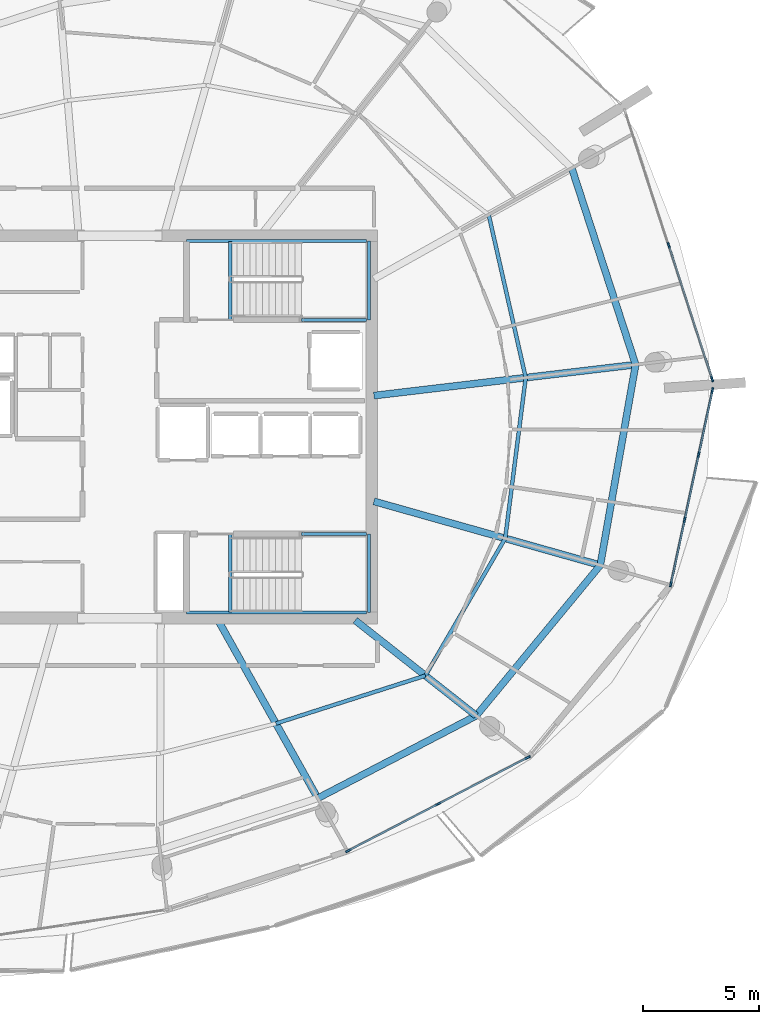
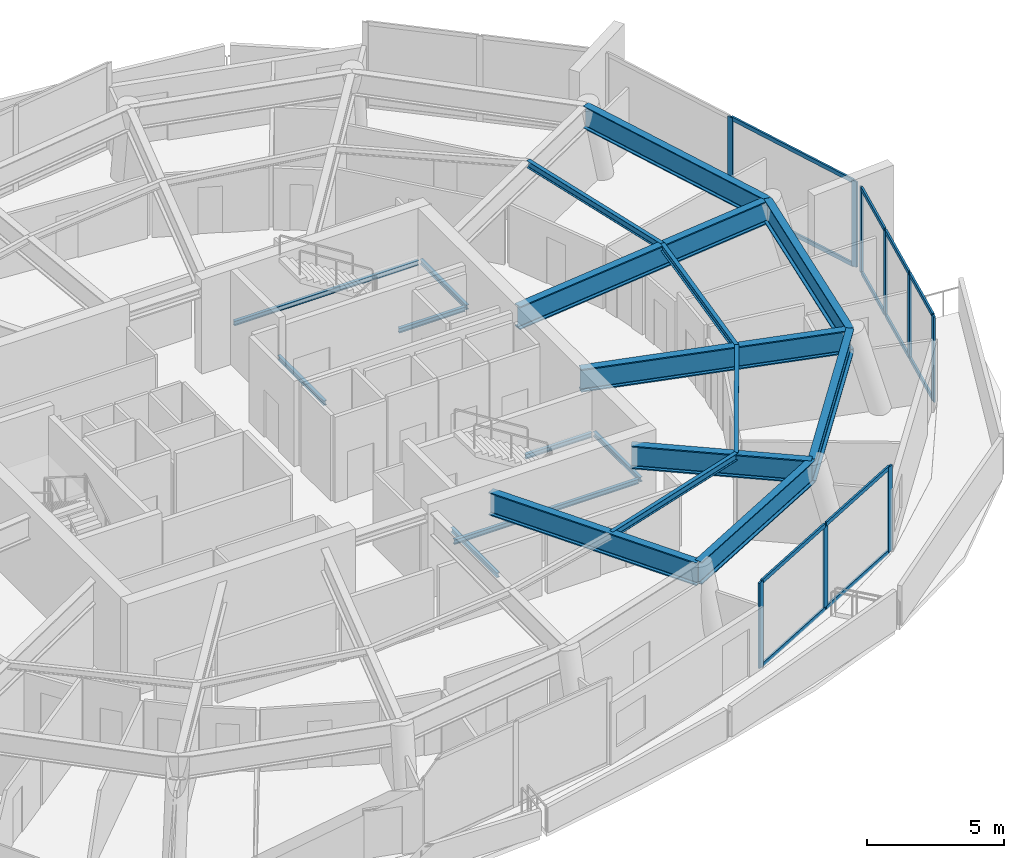
# One storey, part 6 of 19: 21 members, 20 beams, 3 elements without a shape of their own.
"""IFC4 building model written with IfcOpenShell, lengths in metres."""

from ifc_helpers import new_model, si_unit, direction, frame, origin, origin_2d, place, context, subcontext, project, spatial, rectangle, i_section, extrude, material, layer, layer_set, material_profile, profile_set, type_object, element, aggregate, save


model = new_model("IFC4")

# Units and contexts
model_context = context("Model", 3, precision=1e-05, world=origin(), true_north=direction((0.0, 1.0)))
body_context = subcontext(model_context, "Body", "Model", "MODEL_VIEW")
ifc_project = project(units=[si_unit("LENGTHUNIT", "METRE"), si_unit("AREAUNIT", "SQUARE_METRE"), si_unit("VOLUMEUNIT", "CUBIC_METRE"), si_unit("PLANEANGLEUNIT", "RADIAN"), si_unit("MASSUNIT", "GRAM", prefix="KILO")], contexts=[model_context])

# Site, building, storey
site_placement = place(None, origin())
site = spatial("IfcSite", under=ifc_project, at=site_placement, CompositionType="ELEMENT")
building_placement = place(site_placement, origin())
building = spatial("IfcBuilding", under=site, at=building_placement, Name="Kazma Halo Residences", CompositionType="ELEMENT")
storey_placement = place(building_placement, frame((0.0, 0.0, 347.300048828125)))
storey = spatial("IfcBuildingStorey", under=building, at=storey_placement, Name="L87", CompositionType="ELEMENT", Elevation=347.300048828125)

# Beams
ifc_material_1 = material(Name="Steel S355", Category="steel")
ifc_material_profile_1 = material_profile(ifc_material_1, i_section(OverallWidth=0.1650390625, OverallDepth=0.31005859375, WebThickness=0.005859375, FlangeThickness=0.009765625, FilletRadius=0.011962890625, at=origin_2d()), Name="W310x38.7")
ifc_profile_set_1 = profile_set([ifc_material_profile_1], Name="Steel S355")
beam_type_1 = type_object("IfcBeamType", Name="BM-SEC-W310B", PredefinedType="JOIST", material=ifc_profile_set_1)
beam_1_placement = place(storey_placement, frame((55.17041015625, 29.1962890625, 3.64501953125), z_axis=(0.952375588957, 0.304927429988, 0.0), x_axis=(-0.304927429988, 0.952375588957, 0.0)))
element("IfcBeam", 1, at=beam_1_placement, inside=storey, type_object=beam_type_1, Name="L87 circumferential floor joist 13", PredefinedType="JOIST", context=body_context, shape_type="SweptSolid", body=[
    extrude(i_section(OverallWidth=0.1650390625, OverallDepth=0.31005859375, WebThickness=0.005859375, FlangeThickness=0.009765625, FilletRadius=0.011962890625, at=origin_2d()), origin(), (0.0, 0.0, 1.0), 6.7734375),
])
beam_2_placement = place(storey_placement, frame((61.621337890625, 31.26171875, 3.64501953125), z_axis=(0.502650174973, 0.864489908327, 0.0), x_axis=(-0.864489908327, 0.502650174973, 0.0)))
element("IfcBeam", 2, at=beam_2_placement, inside=storey, type_object=beam_type_1, Name="L87 circumferential floor joist 14", PredefinedType="JOIST", context=body_context, shape_type="SweptSolid", body=[
    extrude(i_section(OverallWidth=0.1650390625, OverallDepth=0.31005859375, WebThickness=0.005859375, FlangeThickness=0.009765625, FilletRadius=0.011962890625, at=origin_2d()), origin(), (0.0, 0.0, 1.0), 6.853759765625),
])
beam_3_placement = place(storey_placement, frame((65.06640625, 37.186767578125, 3.64501953125), z_axis=(0.126603386769, 0.991953417484, 0.0), x_axis=(-0.991953417484, 0.126603386769, 0.0)))
element("IfcBeam", 3, at=beam_3_placement, inside=storey, type_object=beam_type_1, Name="L87 circumferential floor joist 15", PredefinedType="JOIST", context=body_context, shape_type="SweptSolid", body=[
    extrude(i_section(OverallWidth=0.1650390625, OverallDepth=0.31005859375, WebThickness=0.005859375, FlangeThickness=0.009765625, FilletRadius=0.011962890625, at=origin_2d()), origin(), (0.0, 0.0, 1.0), 6.994384765625),
])
beam_4_placement = place(storey_placement, frame((65.951904296875, 44.124755859375, 3.64501953125), z_axis=(-0.221597696416, 0.975138175308, 0.0), x_axis=(-0.975138175308, -0.221597696416, 0.0)))
element("IfcBeam", 4, at=beam_4_placement, inside=storey, type_object=beam_type_1, Name="L87 circumferential floor joist 16", PredefinedType="JOIST", context=body_context, shape_type="SweptSolid", body=[
    extrude(i_section(OverallWidth=0.1650390625, OverallDepth=0.31005859375, WebThickness=0.005859375, FlangeThickness=0.009765625, FilletRadius=0.011962890625, at=origin_2d()), origin(), (0.0, 0.0, 1.0), 7.213134765625),
])
ifc_material_profile_2 = material_profile(ifc_material_1, i_section(OverallWidth=0.302001953125, OverallDepth=1.01806640625, WebThickness=0.021484375, FlangeThickness=0.049072265625, FilletRadius=0.028076171875, at=origin_2d()), Name="W1000x443")
ifc_profile_set_2 = profile_set([ifc_material_profile_2], Name="Steel S355")
beam_type_2 = type_object("IfcBeamType", Name="BM-TRANS-W1000A", PredefinedType="BEAM", material=ifc_profile_set_2)
beam_5_placement = place(storey_placement, frame((52.67626953125, 33.64990234375, 3.291015625), z_axis=(0.488621952621, -0.872495608824, 0.0), x_axis=(0.872495608824, 0.488621952621, 0.0)))
element("IfcBeam", 5, at=beam_5_placement, inside=storey, type_object=beam_type_2, Name="L87 podium radial transfer girder 13", PredefinedType="BEAM", context=body_context, shape_type="SweptSolid", body=[
    extrude(i_section(OverallWidth=0.302001953125, OverallDepth=1.01806640625, WebThickness=0.021484375, FlangeThickness=0.049072265625, FilletRadius=0.028076171875, at=origin_2d()), origin(), (0.0, 0.0, 1.0), 8.80078125),
])
beam_6_placement = place(storey_placement, frame((58.591796875, 33.64990234375, 3.291015625), z_axis=(0.785342950436, -0.619060942234, 0.0), x_axis=(0.619060942234, 0.785342950436, 0.0)))
element("IfcBeam", 6, at=beam_6_placement, inside=storey, type_object=beam_type_2, Name="L87 podium radial transfer girder 14", PredefinedType="BEAM", context=body_context, shape_type="SweptSolid", body=[
    extrude(i_section(OverallWidth=0.302001953125, OverallDepth=1.01806640625, WebThickness=0.021484375, FlangeThickness=0.049072265625, FilletRadius=0.028076171875, at=origin_2d()), origin(), (0.0, 0.0, 1.0), 6.651123046875),
])
beam_7_placement = place(storey_placement, frame((59.39990234375, 38.784912109375, 3.291015625), z_axis=(0.962456764872, -0.271435030445, 0.0), x_axis=(0.271435030445, 0.962456764872, 0.0)))
element("IfcBeam", 7, at=beam_7_placement, inside=storey, type_object=beam_type_2, Name="L87 podium radial transfer girder 15", PredefinedType="BEAM", context=body_context, shape_type="SweptSolid", body=[
    extrude(i_section(OverallWidth=0.302001953125, OverallDepth=1.01806640625, WebThickness=0.021484375, FlangeThickness=0.049072265625, FilletRadius=0.028076171875, at=origin_2d()), origin(), (0.0, 0.0, 1.0), 10.151123046875),
])
beam_8_placement = place(storey_placement, frame((59.39990234375, 43.349365234375, 3.291015625), z_axis=(0.993069497533, 0.117528605327, 0.0), x_axis=(-0.117528605327, 0.993069497533, 0.0)))
element("IfcBeam", 8, at=beam_8_placement, inside=storey, type_object=beam_type_2, Name="L87 podium radial transfer girder 16", PredefinedType="BEAM", context=body_context, shape_type="SweptSolid", body=[
    extrude(i_section(OverallWidth=0.302001953125, OverallDepth=1.01806640625, WebThickness=0.021484375, FlangeThickness=0.049072265625, FilletRadius=0.028076171875, at=origin_2d()), origin(), (0.0, 0.0, 1.0), 11.375244140625),
])
ifc_material_profile_3 = material_profile(ifc_material_1, i_section(OverallWidth=0.300048828125, OverallDepth=1.0, WebThickness=0.01904296875, FlangeThickness=0.0400390625, FilletRadius=0.02587890625, at=origin_2d()), Name="W1000x371")
ifc_profile_set_3 = profile_set([ifc_material_profile_3], Name="Steel S355")
beam_type_3 = type_object("IfcBeamType", Name="BM-TRANS-W1000B", PredefinedType="BEAM", material=ifc_profile_set_3)
beam_9_placement = place(storey_placement, frame((56.9765625, 25.97119140625, 3.300048828125), z_axis=(0.886940838721, 0.461883046461, 0.0), x_axis=(-0.461883046461, 0.886940838721, 0.0)))
element("IfcBeam", 9, at=beam_9_placement, inside=storey, type_object=beam_type_3, Name="L87 perimeter ring beam 13", PredefinedType="BEAM", context=body_context, shape_type="SweptSolid", body=[
    extrude(i_section(OverallWidth=0.300048828125, OverallDepth=1.0, WebThickness=0.01904296875, FlangeThickness=0.0400390625, FilletRadius=0.02587890625, at=origin_2d()), origin(), (0.0, 0.0, 1.0), 7.71044921875),
])
beam_10_placement = place(storey_placement, frame((63.815185546875, 29.532470703125, 3.300048828125), z_axis=(0.636005014199, 0.77168492399, 0.0), x_axis=(-0.77168492399, 0.636005014199, 0.0)))
element("IfcBeam", 10, at=beam_10_placement, inside=storey, type_object=beam_type_3, Name="L87 perimeter ring beam 14", PredefinedType="BEAM", context=body_context, shape_type="SweptSolid", body=[
    extrude(i_section(OverallWidth=0.300048828125, OverallDepth=1.0, WebThickness=0.01904296875, FlangeThickness=0.0400390625, FilletRadius=0.02587890625, at=origin_2d()), origin(), (0.0, 0.0, 1.0), 8.41943359375),
])
beam_11_placement = place(storey_placement, frame((69.169921875, 36.029541015625, 3.300048828125), z_axis=(0.173642734291, 0.984808712811, 0.0), x_axis=(-0.984808712811, 0.173642734291, 0.0)))
element("IfcBeam", 11, at=beam_11_placement, inside=storey, type_object=beam_type_3, Name="L87 perimeter ring beam 15", PredefinedType="BEAM", context=body_context, shape_type="SweptSolid", body=[
    extrude(i_section(OverallWidth=0.300048828125, OverallDepth=1.0, WebThickness=0.01904296875, FlangeThickness=0.0400390625, FilletRadius=0.02587890625, at=origin_2d()), origin(), (0.0, 0.0, 1.0), 8.790283203125),
])
beam_12_placement = place(storey_placement, frame((70.6962890625, 44.686279296875, 3.300048828125), z_axis=(-0.309015498459, 0.951057002346, 0.0), x_axis=(-0.951057002346, -0.309015498459, 0.0)))
element("IfcBeam", 12, at=beam_12_placement, inside=storey, type_object=beam_type_3, Name="L87 perimeter ring beam 16", PredefinedType="BEAM", context=body_context, shape_type="SweptSolid", body=[
    extrude(i_section(OverallWidth=0.300048828125, OverallDepth=1.0, WebThickness=0.01904296875, FlangeThickness=0.0400390625, FilletRadius=0.02587890625, at=origin_2d()), origin(), (0.0, 0.0, 1.0), 8.91748046875),
])
ifc_material_profile_4 = material_profile(ifc_material_1, i_section(OverallWidth=0.133056640625, OverallDepth=0.20703125, WebThickness=0.005859375, FlangeThickness=0.00830078125, FilletRadius=0.010009765625, at=origin_2d()), Name="W200x26.6")
ifc_profile_set_4 = profile_set([ifc_material_profile_4], Name="Steel S355")
beam_type_4 = type_object("IfcBeamType", Name="BM-TRIM-W200", PredefinedType="BEAM", material=ifc_profile_set_4)
for number, where, z_axis, x_axis, name in (
    (13, (53.199951171875, 46.6201171875, -0.3701171875), (0.0, 1.0, 0.0), (-1.0, 0.0, 0.0), "L87 ST-02 floor landing support beam"),
    (14, (53.199951171875, 34.0, -0.3701171875), (0.0, 1.0, 0.0), (-1.0, 0.0, 0.0), "L87 ST-03 floor landing support beam"),
):
    element("IfcBeam", number, at=place(storey_placement, frame(where, z_axis=z_axis, x_axis=x_axis)), inside=storey, type_object=beam_type_4, Name=name, PredefinedType="BEAM", context=body_context, shape_type="SweptSolid", body=[
        extrude(i_section(OverallWidth=0.133056640625, OverallDepth=0.20703125, WebThickness=0.005859375, FlangeThickness=0.00830078125, FilletRadius=0.010009765625, at=origin_2d()), origin(), (0.0, 0.0, 1.0), 3.3798828125),
    ])
beam_13_placement = place(storey_placement, frame((51.31005859375, 50.02001953125, 1.794921875), z_axis=(1.0, 0.0, 0.0), x_axis=(0.0, 1.0, 0.0)))
element("IfcBeam", 15, at=beam_13_placement, inside=storey, type_object=beam_type_4, Name="L87 ST-02 landing north wall ledger", PredefinedType="BEAM", context=body_context, shape_type="SweptSolid", body=[
    extrude(i_section(OverallWidth=0.133056640625, OverallDepth=0.20703125, WebThickness=0.005859375, FlangeThickness=0.00830078125, FilletRadius=0.010009765625, at=origin_2d()), origin(), (0.0, 0.0, 1.0), 7.760009765625),
])
beam_14_placement = place(storey_placement, frame((56.280029296875, 46.6201171875, 1.794921875), z_axis=(1.0, 0.0, 0.0), x_axis=(0.0, 1.0, 0.0)))
element("IfcBeam", 16, at=beam_14_placement, inside=storey, type_object=beam_type_4, Name="L87 ST-02 landing south wall ledger", PredefinedType="BEAM", context=body_context, shape_type="SweptSolid", body=[
    extrude(i_section(OverallWidth=0.133056640625, OverallDepth=0.20703125, WebThickness=0.005859375, FlangeThickness=0.00830078125, FilletRadius=0.010009765625, at=origin_2d()), origin(), (0.0, 0.0, 1.0), 2.7900390625),
])
beam_15_placement = place(storey_placement, frame((59.18994140625, 46.6201171875, 1.794921875), z_axis=(0.0, 1.0, 0.0), x_axis=(-1.0, 0.0, 0.0)))
element("IfcBeam", 17, at=beam_15_placement, inside=storey, type_object=beam_type_4, Name="L87 ST-02 landing end wall ledger", PredefinedType="BEAM", context=body_context, shape_type="SweptSolid", body=[
    extrude(i_section(OverallWidth=0.133056640625, OverallDepth=0.20703125, WebThickness=0.005859375, FlangeThickness=0.00830078125, FilletRadius=0.010009765625, at=origin_2d()), origin(), (0.0, 0.0, 1.0), 3.39990234375),
])
beam_16_placement = place(storey_placement, frame((51.31005859375, 33.97998046875, 1.794921875), z_axis=(1.0, 0.0, 0.0), x_axis=(0.0, 1.0, 0.0)))
element("IfcBeam", 18, at=beam_16_placement, inside=storey, type_object=beam_type_4, Name="L87 ST-03 landing south wall ledger", PredefinedType="BEAM", context=body_context, shape_type="SweptSolid", body=[
    extrude(i_section(OverallWidth=0.133056640625, OverallDepth=0.20703125, WebThickness=0.005859375, FlangeThickness=0.00830078125, FilletRadius=0.010009765625, at=origin_2d()), origin(), (0.0, 0.0, 1.0), 7.760009765625),
])
beam_17_placement = place(storey_placement, frame((56.280029296875, 37.3798828125, 1.794921875), z_axis=(1.0, 0.0, 0.0), x_axis=(0.0, 1.0, 0.0)))
element("IfcBeam", 19, at=beam_17_placement, inside=storey, type_object=beam_type_4, Name="L87 ST-03 landing north wall ledger", PredefinedType="BEAM", context=body_context, shape_type="SweptSolid", body=[
    extrude(i_section(OverallWidth=0.133056640625, OverallDepth=0.20703125, WebThickness=0.005859375, FlangeThickness=0.00830078125, FilletRadius=0.010009765625, at=origin_2d()), origin(), (0.0, 0.0, 1.0), 2.7900390625),
])
beam_18_placement = place(storey_placement, frame((59.18994140625, 33.97998046875, 1.794921875), z_axis=(0.0, 1.0, 0.0), x_axis=(-1.0, 0.0, 0.0)))
element("IfcBeam", 20, at=beam_18_placement, inside=storey, type_object=beam_type_4, Name="L87 ST-03 landing end wall ledger", PredefinedType="BEAM", context=body_context, shape_type="SweptSolid", body=[
    extrude(i_section(OverallWidth=0.133056640625, OverallDepth=0.20703125, WebThickness=0.005859375, FlangeThickness=0.00830078125, FilletRadius=0.010009765625, at=origin_2d()), origin(), (0.0, 0.0, 1.0), 3.39990234375),
])

# Curtain wall, members
ifc_material_2 = material(Name="Aluminium AW-6063 T6 and Triple-Silver Low-E Glass", Category="aluminium")
ifc_layer = layer(ifc_material_2, 0.239990234375)
ifc_layer_set = layer_set([ifc_layer], Name="Aluminium AW-6063 T6 and Triple-Silver Low-E Glass")
curtain_wall_type = type_object("IfcCurtainWallType", Name="CW-SYS-6", PredefinedType="NOTDEFINED", material=ifc_layer_set)
curtain_wall_1_placement = place(storey_placement, origin())
curtain_wall_1 = element("IfcCurtainWall", 21, at=curtain_wall_1_placement, inside=storey, type_object=curtain_wall_type, Name="L87 unitised curtain wall B13", PredefinedType="NOTDEFINED")
ifc_material_3 = material(Name="Aluminium AW-6063 T6", Category="aluminium")
ifc_material_profile_5 = material_profile(ifc_material_3, rectangle(XDim=0.080078125, YDim=0.239990234375, at=origin_2d()), Name="CWM-80x240")
ifc_profile_set_5 = profile_set([ifc_material_profile_5], Name="Aluminium AW-6063 T6")
member_type_1 = type_object("IfcMemberType", Name="CW-SYS-6-MUL", PredefinedType="MULLION", material=ifc_profile_set_5)
member_1_placement = place(storey_placement, frame((58.290283203125, 23.70703125, 0.0), z_axis=(0.0, 0.0, 1.0), x_axis=(-0.460796020861, 0.887506071618, 0.0)))
member_1 = element("IfcMember", 22, at=member_1_placement, type_object=member_type_1, Name="CWS-6 mullion 1", PredefinedType="MULLION", context=body_context, shape_type="SweptSolid", body=[
    extrude(rectangle(XDim=0.080078125, YDim=0.239990234375, at=origin_2d()), origin(), (0.0, 0.0, 1.0), 3.800048828125),
])
member_2_placement = place(storey_placement, frame((62.16552734375, 25.71923828125, 0.0), z_axis=(0.0, 0.0, 1.0), x_axis=(-0.460796020861, 0.887506071618, 0.0)))
member_2 = element("IfcMember", 23, at=member_2_placement, type_object=member_type_1, Name="CWS-6 mullion 2", PredefinedType="MULLION", context=body_context, shape_type="SweptSolid", body=[
    extrude(rectangle(XDim=0.080078125, YDim=0.239990234375, at=origin_2d()), origin(), (0.0, 0.0, 1.0), 3.800048828125),
])
member_3_placement = place(storey_placement, frame((66.041015625, 27.731201171875, 0.0), z_axis=(0.0, 0.0, 1.0), x_axis=(-0.460796020861, 0.887506071618, 0.0)))
member_3 = element("IfcMember", 24, at=member_3_placement, type_object=member_type_1, Name="CWS-6 mullion 3", PredefinedType="MULLION", context=body_context, shape_type="SweptSolid", body=[
    extrude(rectangle(XDim=0.080078125, YDim=0.239990234375, at=origin_2d()), origin(), (0.0, 0.0, 1.0), 3.800048828125),
])

curtain_wall_2_placement = place(storey_placement, origin())
curtain_wall_2 = element("IfcCurtainWall", 25, at=curtain_wall_2_placement, inside=storey, type_object=curtain_wall_type, Name="L87 unitised curtain wall B15", PredefinedType="NOTDEFINED")
member_4_placement = place(storey_placement, frame((72.2158203125, 35.2119140625, 0.0), z_axis=(0.0, 0.0, 1.0), x_axis=(-0.977760865363, 0.209722888986, 0.0)))
member_4 = element("IfcMember", 26, at=member_4_placement, type_object=member_type_1, Name="CWS-6 mullion 1", PredefinedType="MULLION", context=body_context, shape_type="SweptSolid", body=[
    extrude(rectangle(XDim=0.080078125, YDim=0.239990234375, at=origin_2d()), origin(), (0.0, 0.0, 1.0), 3.800048828125),
])
member_5_placement = place(storey_placement, frame((72.81103515625, 37.986572265625, 0.0), z_axis=(0.0, 0.0, 1.0), x_axis=(-0.977760865363, 0.209722888986, 0.0)))
member_5 = element("IfcMember", 27, at=member_5_placement, type_object=member_type_1, Name="CWS-6 mullion 2", PredefinedType="MULLION", context=body_context, shape_type="SweptSolid", body=[
    extrude(rectangle(XDim=0.080078125, YDim=0.239990234375, at=origin_2d()), origin(), (0.0, 0.0, 1.0), 3.800048828125),
])
member_6_placement = place(storey_placement, frame((73.41455078125, 40.80029296875, 0.0), z_axis=(0.0, 0.0, 1.0), x_axis=(-0.977760865363, 0.209722888986, 0.0)))
member_6 = element("IfcMember", 28, at=member_6_placement, type_object=member_type_1, Name="CWS-6 mullion 3", PredefinedType="MULLION", context=body_context, shape_type="SweptSolid", body=[
    extrude(rectangle(XDim=0.080078125, YDim=0.239990234375, at=origin_2d()), origin(), (0.0, 0.0, 1.0), 3.800048828125),
])
member_7_placement = place(storey_placement, frame((74.009765625, 43.574951171875, 0.0), z_axis=(0.0, 0.0, 1.0), x_axis=(-0.977760865363, 0.209722888986, 0.0)))
member_7 = element("IfcMember", 29, at=member_7_placement, type_object=member_type_1, Name="CWS-6 mullion 4", PredefinedType="MULLION", context=body_context, shape_type="SweptSolid", body=[
    extrude(rectangle(XDim=0.080078125, YDim=0.239990234375, at=origin_2d()), origin(), (0.0, 0.0, 1.0), 3.800048828125),
])

curtain_wall_3_placement = place(storey_placement, origin())
curtain_wall_3 = element("IfcCurtainWall", 30, at=curtain_wall_3_placement, inside=storey, type_object=curtain_wall_type, Name="L87 unitised curtain wall B16", PredefinedType="NOTDEFINED")
member_8_placement = place(storey_placement, frame((73.9990234375, 44.062255859375, 0.0), z_axis=(0.0, 0.0, 1.0), x_axis=(-0.951055886462, -0.309018932797, 0.0)))
member_8 = element("IfcMember", 31, at=member_8_placement, type_object=member_type_1, Name="CWS-6 mullion 1", PredefinedType="MULLION", context=body_context, shape_type="SweptSolid", body=[
    extrude(rectangle(XDim=0.080078125, YDim=0.239990234375, at=origin_2d()), origin(), (0.0, 0.0, 1.0), 3.800048828125),
])
member_9_placement = place(storey_placement, frame((72.12255859375, 49.837890625, 0.0), z_axis=(0.0, 0.0, 1.0), x_axis=(-0.951055886462, -0.309018932797, 0.0)))
member_9 = element("IfcMember", 32, at=member_9_placement, type_object=member_type_1, Name="CWS-6 mullion 2", PredefinedType="MULLION", context=body_context, shape_type="SweptSolid", body=[
    extrude(rectangle(XDim=0.080078125, YDim=0.239990234375, at=origin_2d()), origin(), (0.0, 0.0, 1.0), 3.800048828125),
])

# Member
ifc_material_profile_6 = material_profile(ifc_material_3, rectangle(XDim=0.080078125, YDim=0.179931640625, at=origin_2d()), Name="CWT-80x180")
ifc_profile_set_6 = profile_set([ifc_material_profile_6], Name="Aluminium AW-6063 T6")
member_type_2 = type_object("IfcMemberType", Name="CW-SYS-6-TRN", PredefinedType="USERDEFINED", material=ifc_profile_set_6)
member_10_placement = place(storey_placement, frame((58.32568359375, 23.7255859375, 0.0400390625), z_axis=(0.88752339951, 0.460762645321, 0.0), x_axis=(-0.460762645321, 0.88752339951, 0.0)))
member_10 = element("IfcMember", 33, at=member_10_placement, type_object=member_type_2, Name="CWS-6 transom 1.1", ObjectType="TRANSOM", PredefinedType="USERDEFINED", context=body_context, shape_type="SweptSolid", body=[
    extrude(rectangle(XDim=0.080078125, YDim=0.179931640625, at=origin_2d()), origin(), (0.0, 0.0, 1.0), 4.28662109375),
])

member_11_placement = place(storey_placement, frame((58.32568359375, 23.7255859375, 3.760009765625), z_axis=(0.88752339951, 0.460762645321, 0.0), x_axis=(-0.460762645321, 0.88752339951, 0.0)))
member_11 = element("IfcMember", 34, at=member_11_placement, type_object=member_type_2, Name="CWS-6 transom 1.2", ObjectType="TRANSOM", PredefinedType="USERDEFINED", context=body_context, shape_type="SweptSolid", body=[
    extrude(rectangle(XDim=0.080078125, YDim=0.179931640625, at=origin_2d()), origin(), (0.0, 0.0, 1.0), 4.28662109375),
])

member_12_placement = place(storey_placement, frame((62.201171875, 25.737548828125, 0.0400390625), z_axis=(0.887488013571, 0.4608307995, 0.0), x_axis=(-0.4608307995, 0.887488013571, 0.0)))
member_12 = element("IfcMember", 35, at=member_12_placement, type_object=member_type_2, Name="CWS-6 transom 2.1", ObjectType="TRANSOM", PredefinedType="USERDEFINED", context=body_context, shape_type="SweptSolid", body=[
    extrude(rectangle(XDim=0.080078125, YDim=0.179931640625, at=origin_2d()), origin(), (0.0, 0.0, 1.0), 4.286376953125),
])

member_13_placement = place(storey_placement, frame((62.201171875, 25.737548828125, 3.760009765625), z_axis=(0.887488013571, 0.4608307995, 0.0), x_axis=(-0.4608307995, 0.887488013571, 0.0)))
member_13 = element("IfcMember", 36, at=member_13_placement, type_object=member_type_2, Name="CWS-6 transom 2.2", ObjectType="TRANSOM", PredefinedType="USERDEFINED", context=body_context, shape_type="SweptSolid", body=[
    extrude(rectangle(XDim=0.080078125, YDim=0.179931640625, at=origin_2d()), origin(), (0.0, 0.0, 1.0), 4.286376953125),
])

aggregate(curtain_wall_1, [member_1, member_2, member_3, member_10, member_11, member_12, member_13])

member_14_placement = place(storey_placement, frame((72.224365234375, 35.2509765625, 0.0400390625), z_axis=(0.209716499477, 0.977762235846, 0.0), x_axis=(-0.977762235846, 0.209716499477, 0.0)))
member_14 = element("IfcMember", 37, at=member_14_placement, type_object=member_type_2, Name="CWS-6 transom 1.1", ObjectType="TRANSOM", PredefinedType="USERDEFINED", context=body_context, shape_type="SweptSolid", body=[
    extrude(rectangle(XDim=0.080078125, YDim=0.179931640625, at=origin_2d()), origin(), (0.0, 0.0, 1.0), 2.7578125),
])

member_15_placement = place(storey_placement, frame((72.224365234375, 35.2509765625, 3.760009765625), z_axis=(0.209716499477, 0.977762235846, 0.0), x_axis=(-0.977762235846, 0.209716499477, 0.0)))
member_15 = element("IfcMember", 38, at=member_15_placement, type_object=member_type_2, Name="CWS-6 transom 1.2", ObjectType="TRANSOM", PredefinedType="USERDEFINED", context=body_context, shape_type="SweptSolid", body=[
    extrude(rectangle(XDim=0.080078125, YDim=0.179931640625, at=origin_2d()), origin(), (0.0, 0.0, 1.0), 2.7578125),
])

member_16_placement = place(storey_placement, frame((72.8193359375, 38.025634765625, 0.0400390625), z_axis=(0.209773410621, 0.977750027459, 0.0), x_axis=(-0.977750027459, 0.209773410621, 0.0)))
member_16 = element("IfcMember", 39, at=member_16_placement, type_object=member_type_2, Name="CWS-6 transom 2.1", ObjectType="TRANSOM", PredefinedType="USERDEFINED", context=body_context, shape_type="SweptSolid", body=[
    extrude(rectangle(XDim=0.080078125, YDim=0.179931640625, at=origin_2d()), origin(), (0.0, 0.0, 1.0), 2.7978515625),
])

member_17_placement = place(storey_placement, frame((72.8193359375, 38.025634765625, 3.760009765625), z_axis=(0.209773410621, 0.977750027459, 0.0), x_axis=(-0.977750027459, 0.209773410621, 0.0)))
member_17 = element("IfcMember", 40, at=member_17_placement, type_object=member_type_2, Name="CWS-6 transom 2.2", ObjectType="TRANSOM", PredefinedType="USERDEFINED", context=body_context, shape_type="SweptSolid", body=[
    extrude(rectangle(XDim=0.080078125, YDim=0.179931640625, at=origin_2d()), origin(), (0.0, 0.0, 1.0), 2.7978515625),
])

member_18_placement = place(storey_placement, frame((73.4228515625, 40.83935546875, 0.0400390625), z_axis=(0.209716499477, 0.977762235846, 0.0), x_axis=(-0.977762235846, 0.209716499477, 0.0)))
member_18 = element("IfcMember", 41, at=member_18_placement, type_object=member_type_2, Name="CWS-6 transom 3.1", ObjectType="TRANSOM", PredefinedType="USERDEFINED", context=body_context, shape_type="SweptSolid", body=[
    extrude(rectangle(XDim=0.080078125, YDim=0.179931640625, at=origin_2d()), origin(), (0.0, 0.0, 1.0), 2.7578125),
])

member_19_placement = place(storey_placement, frame((73.4228515625, 40.83935546875, 3.760009765625), z_axis=(0.209716499477, 0.977762235846, 0.0), x_axis=(-0.977762235846, 0.209716499477, 0.0)))
member_19 = element("IfcMember", 42, at=member_19_placement, type_object=member_type_2, Name="CWS-6 transom 3.2", ObjectType="TRANSOM", PredefinedType="USERDEFINED", context=body_context, shape_type="SweptSolid", body=[
    extrude(rectangle(XDim=0.080078125, YDim=0.179931640625, at=origin_2d()), origin(), (0.0, 0.0, 1.0), 2.7578125),
])

aggregate(curtain_wall_2, [member_4, member_5, member_6, member_7, member_14, member_15, member_16, member_17, member_18, member_19])

member_20_placement = place(storey_placement, frame((73.986572265625, 44.100341796875, 0.0400390625), z_axis=(-0.309007770724, 0.951059513191, 0.0), x_axis=(-0.951059513191, -0.309007770724, 0.0)))
member_20 = element("IfcMember", 43, at=member_20_placement, type_object=member_type_2, Name="CWS-6 transom 1.1", ObjectType="TRANSOM", PredefinedType="USERDEFINED", context=body_context, shape_type="SweptSolid", body=[
    extrude(rectangle(XDim=0.080078125, YDim=0.179931640625, at=origin_2d()), origin(), (0.0, 0.0, 1.0), 5.99267578125),
])

member_21_placement = place(storey_placement, frame((73.986572265625, 44.100341796875, 3.760009765625), z_axis=(-0.309007770724, 0.951059513191, 0.0), x_axis=(-0.951059513191, -0.309007770724, 0.0)))
member_21 = element("IfcMember", 44, at=member_21_placement, type_object=member_type_2, Name="CWS-6 transom 1.2", ObjectType="TRANSOM", PredefinedType="USERDEFINED", context=body_context, shape_type="SweptSolid", body=[
    extrude(rectangle(XDim=0.080078125, YDim=0.179931640625, at=origin_2d()), origin(), (0.0, 0.0, 1.0), 5.99267578125),
])

aggregate(curtain_wall_3, [member_8, member_9, member_20, member_21])

save(model, "model.ifc")
